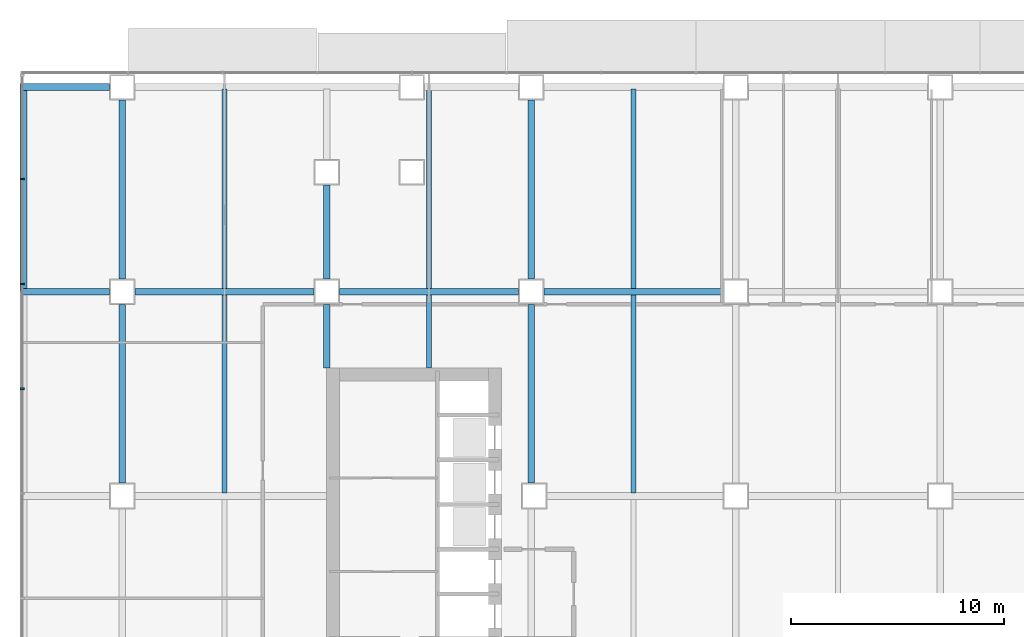
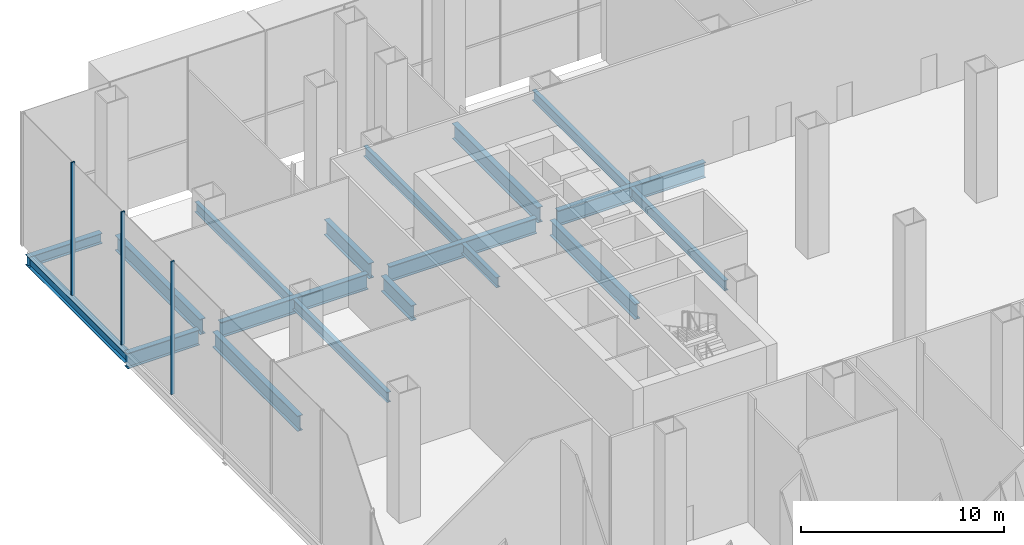
# One storey, part 7 of 24: 18 beams, 3 members, 1 element without a shape of its own.
"""IFC4 building model written with IfcOpenShell, lengths in metres."""

import ifcopenshell
import ifcopenshell.guid

model = None  # the IFC model being written
_history = None  # IfcOwnerHistory: only IFC2X3 demands one
_inside = {}  # id of a spatial element -> (the spatial element, [elements in it])
_under = {}  # id of a project, library or spatial element -> (it, [spatial elements below it])
_declared = {}  # id of a project -> (the project, [libraries it declares])
_typed = {}  # id of a type object -> (the type object, [elements of that type])
_made_of = {}  # id of a material, layer set ... -> (it, [elements and type objects made of it])


def new_model(schema):
    """Start an empty IFC model of exactly this schema.

    Asked for "IFC4X3", IfcOpenShell would pick the latest addendum, in which some entities
    have other attributes; the version numbers below select the first issue.
    IFC2X3 requires an IfcOwnerHistory on every rooted entity: one is made here for all.
    """
    global model, _history
    if schema == "IFC4X3":
        model = ifcopenshell.file(schema_version=(4, 3, 0, 0))
    else:
        model = ifcopenshell.file(schema=schema)
    _inside.clear()
    _under.clear()
    _declared.clear()
    _typed.clear()
    _made_of.clear()
    _history = None
    if model.schema == "IFC2X3":
        org = make("IfcOrganization", Name="unknown")
        user = make(
            "IfcPersonAndOrganization",
            ThePerson=make("IfcPerson", FamilyName="unknown"),
            TheOrganization=org,
        )
        app = make(
            "IfcApplication",
            ApplicationDeveloper=org,
            Version="unknown",
            ApplicationFullName="unknown",
            ApplicationIdentifier="unknown",
        )
        _history = make(
            "IfcOwnerHistory",
            OwningUser=user,
            OwningApplication=app,
            ChangeAction="ADDED",
            CreationDate=0,
        )
    return model


def make(cls, **values):
    """One entity of the class cls with the attributes given. An attribute that is None is left unset."""
    return model.create_entity(
        cls, **{name: value for name, value in values.items() if value is not None}
    )


def rooted(cls, **values):
    """An entity with a GlobalId (a new one), such as an element, a storey or a relation."""
    return make(cls, GlobalId=ifcopenshell.guid.new(), OwnerHistory=_history, **values)


def si_unit(unit_type, name, prefix=None):
    """IfcSIUnit, for example si_unit("LENGTHUNIT", "METRE", prefix="MILLI")."""
    return make("IfcSIUnit", UnitType=unit_type, Prefix=prefix, Name=name)


def assignment(units):
    """IfcUnitAssignment: the units of a project."""
    return None if units is None else make("IfcUnitAssignment", Units=units)


def point(xyz):
    """IfcCartesianPoint."""
    return None if xyz is None else make("IfcCartesianPoint", Coordinates=xyz)


def direction(xyz):
    """IfcDirection."""
    return None if xyz is None else make("IfcDirection", DirectionRatios=xyz)


def frame(location, z_axis=None, x_axis=None):
    """IfcAxis2Placement3D, a coordinate frame: its origin and axes. An axis left out is left unset."""
    return make(
        "IfcAxis2Placement3D",
        Location=point(location),
        Axis=direction(z_axis),
        RefDirection=direction(x_axis),
    )


def frame_2d(location, x_axis=None):
    """IfcAxis2Placement2D, a coordinate frame in the plane: its origin and x axis."""
    return make(
        "IfcAxis2Placement2D", Location=point(location), RefDirection=direction(x_axis)
    )


def origin():
    """The frame at (0, 0, 0) with its axes left unset."""
    return frame((0.0, 0.0, 0.0))


def origin_2d():
    """The frame at (0, 0) in the plane with its x axis left unset."""
    return frame_2d((0.0, 0.0))


def place(relative_to, where):
    """IfcLocalPlacement: puts the frame where relative to a parent placement (None: the world)."""
    return make(
        "IfcLocalPlacement", PlacementRelTo=relative_to, RelativePlacement=where
    )


def context(
    kind, dimensions, precision=None, world=None, true_north=None, identifier=None
):
    """IfcGeometricRepresentationContext, for example the 3D "Model" context."""
    return make(
        "IfcGeometricRepresentationContext",
        ContextIdentifier=identifier,
        ContextType=kind,
        CoordinateSpaceDimension=dimensions,
        Precision=precision,
        WorldCoordinateSystem=world,
        TrueNorth=true_north,
    )


def subcontext(parent, identifier, kind, view, scale=None):
    """IfcGeometricRepresentationSubContext, for example "Body" below "Model"."""
    return make(
        "IfcGeometricRepresentationSubContext",
        ContextIdentifier=identifier,
        ContextType=kind,
        ParentContext=parent,
        TargetScale=scale,
        TargetView=view,
    )


def project(units=None, contexts=None):
    """IfcProject with its units and contexts."""
    return rooted(
        "IfcProject",
        Name="project",
        RepresentationContexts=contexts,
        UnitsInContext=assignment(units),
    )


def spatial(cls, under=None, at=None, **own):
    """A site, building, storey or space (cls), placed at a placement, below another one or the project."""
    s = rooted(cls, ObjectPlacement=at, **own)
    if under is not None:
        _under.setdefault(under.id(), (under, []))[1].append(s)
    return s


def profile(cls, at=None, kind="AREA", **sizes):
    """A parametric profile (cls). Its sizes go by their IFC names, for example OverallWidth=200.0."""
    return make(cls, ProfileType=kind, Position=at, **sizes)


def rectangle(**sizes):
    """IfcRectangleProfileDef."""
    return profile("IfcRectangleProfileDef", **sizes)


def i_section(**sizes):
    """IfcIShapeProfileDef."""
    return profile("IfcIShapeProfileDef", **sizes)


def extrude(swept, where, along, depth):
    """IfcExtrudedAreaSolid: the profile swept, set in the frame where, extruded along a direction by depth."""
    return make(
        "IfcExtrudedAreaSolid",
        SweptArea=swept,
        Position=where,
        ExtrudedDirection=direction(along),
        Depth=depth,
    )


def shape(context_of_items, identifier, shape_type, items):
    """IfcShapeRepresentation: the items that make up one representation, for example the "Body"."""
    return make(
        "IfcShapeRepresentation",
        ContextOfItems=context_of_items,
        RepresentationIdentifier=identifier,
        RepresentationType=shape_type,
        Items=items,
    )


def material(Name=None, Category=None):
    """IfcMaterial."""
    return make("IfcMaterial", Name=Name, Category=Category)


def material_profile(
    of_material, cross_section, Name=None, Category=None, Priority=None
):
    """IfcMaterialProfile: a cross section and its material."""
    return make(
        "IfcMaterialProfile",
        Name=Name,
        Material=of_material,
        Profile=cross_section,
        Priority=Priority,
        Category=Category,
    )


def profile_set(profiles, Name=None, composite=None):
    """IfcMaterialProfileSet."""
    return make(
        "IfcMaterialProfileSet",
        Name=Name,
        MaterialProfiles=profiles,
        CompositeProfile=composite,
    )


def made_of(thing, what):
    """Note that an element or type object is made of a material, layer set ...; save() writes the relation."""
    if what is not None:
        _made_of.setdefault(what.id(), (what, []))[1].append(thing)
    return thing


def type_object(cls, material=None, **own):
    """A type object (cls), such as IfcWallType, which elements share."""
    return made_of(rooted(cls, **own), material)


def element(
    cls,
    number,
    at=None,
    inside=None,
    cuts=None,
    type_object=None,
    material=None,
    context=None,
    identifier="Body",
    shape_type=None,
    held_by="IfcProductDefinitionShape",
    body=None,
    shapes=None,
    **own,
):
    """One element of the class cls, such as IfcWall. Its Tag is "e" and its number.

    at: its placement. inside: the storey or other place that contains it. cuts: it is an
    opening in that element (IfcRelVoidsElement). A single representation is given by context,
    identifier, shape_type and body (its items); several are given by shapes. held_by: the class
    of the entity that holds the representations. save() writes the other relations.
    """
    e = rooted(cls, Tag="e%d" % number, ObjectPlacement=at, **own)
    if body is not None:
        shapes = [shape(context, identifier, shape_type, body)]
    if shapes is not None:
        e.Representation = make(held_by, Representations=shapes)
    if inside is not None:
        _inside.setdefault(inside.id(), (inside, []))[1].append(e)
    if cuts is not None:
        rooted(
            "IfcRelVoidsElement", RelatingBuildingElement=cuts, RelatedOpeningElement=e
        )
    if type_object is not None:
        _typed.setdefault(type_object.id(), (type_object, []))[1].append(e)
    return made_of(e, material)


def aggregate(whole, parts):
    """IfcRelAggregates: a whole, such as a stair, and the parts it consists of."""
    return rooted("IfcRelAggregates", RelatingObject=whole, RelatedObjects=parts)


def save(model, path):
    """Write the relations noted so far, then the file.

    IfcRelAggregates (storeys below a building ...), IfcRelContainedInSpatialStructure (elements
    in a storey), IfcRelDefinesByType, IfcRelAssociatesMaterial and IfcRelDeclares: one each for
    every whole, place, type object, material and project.
    """
    for whole, parts in _under.values():
        aggregate(whole, parts)
    for where, things in _inside.values():
        rooted(
            "IfcRelContainedInSpatialStructure",
            RelatedElements=things,
            RelatingStructure=where,
        )
    for kind, things in _typed.values():
        rooted("IfcRelDefinesByType", RelatedObjects=things, RelatingType=kind)
    for what, things in _made_of.values():
        rooted("IfcRelAssociatesMaterial", RelatedObjects=things, RelatingMaterial=what)
    for by, libraries in _declared.values():
        rooted("IfcRelDeclares", RelatingContext=by, RelatedDefinitions=libraries)
    model.write(path)


model = new_model("IFC4")

# Units and contexts
model_context = context("Model", 3, precision=1e-05, world=origin(), true_north=direction((0.0, 1.0)))
body_context = subcontext(model_context, "Body", "Model", "MODEL_VIEW")
ifc_project = project(units=[si_unit("LENGTHUNIT", "METRE"), si_unit("AREAUNIT", "SQUARE_METRE"), si_unit("VOLUMEUNIT", "CUBIC_METRE"), si_unit("PLANEANGLEUNIT", "RADIAN"), si_unit("MASSUNIT", "GRAM", prefix="KILO")], contexts=[model_context])

# Site, building, storey
site_placement = place(None, origin())
site = spatial("IfcSite", under=ifc_project, at=site_placement, CompositionType="ELEMENT")
building_placement = place(site_placement, origin())
building = spatial("IfcBuilding", under=site, at=building_placement, Name="Cobrizo Arcos Hotel Tower", CompositionType="ELEMENT")
storey_placement = place(building_placement, frame((0.0, 0.0, 7.5)))
storey = spatial("IfcBuildingStorey", under=building, at=storey_placement, Name="L01", CompositionType="ELEMENT", Elevation=7.5)

# Curtain wall, members
ifc_material_1 = material(Name="Aluminium 6063-T6 anodised bronze", Category="aluminium")
curtain_wall_type = type_object("IfcCurtainWallType", Name="CW-B podium glazing", PredefinedType="NOTDEFINED", material=ifc_material_1)
curtain_wall_placement = place(storey_placement, origin())
curtain_wall = element("IfcCurtainWall", 1, at=curtain_wall_placement, inside=storey, type_object=curtain_wall_type, Name="CW-B L01 W face", PredefinedType="NOTDEFINED")
ifc_material_profile_1 = material_profile(ifc_material_1, rectangle(XDim=0.199951171875, YDim=0.080078125, at=origin_2d()), Name="CW-B mullion 200x80")
ifc_profile_set_1 = profile_set([ifc_material_profile_1], Name="Aluminium 6063-T6 anodised bronze")
member_type = type_object("IfcMemberType", Name="CW-B mullion 200x80", PredefinedType="MULLION", material=ifc_profile_set_1)
member_1_placement = place(storey_placement, frame((-38.300048828125, 19.679931640625, 0.0), z_axis=(0.0, 0.0, 1.0), x_axis=(-1.0, 0.0, 0.0)))
member_1 = element("IfcMember", 2, at=member_1_placement, type_object=member_type, Name="CW-B mullion 2", PredefinedType="MULLION", context=body_context, shape_type="SweptSolid", body=[
    extrude(rectangle(XDim=0.199951171875, YDim=0.080078125, at=origin_2d()), origin(), (0.0, 0.0, 1.0), 8.0),
])
member_2_placement = place(storey_placement, frame((-38.300048828125, 14.760009765625, 0.0), z_axis=(0.0, 0.0, 1.0), x_axis=(-1.0, 0.0, 0.0)))
member_2 = element("IfcMember", 3, at=member_2_placement, type_object=member_type, Name="CW-B mullion 3", PredefinedType="MULLION", context=body_context, shape_type="SweptSolid", body=[
    extrude(rectangle(XDim=0.199951171875, YDim=0.080078125, at=origin_2d()), origin(), (0.0, 0.0, 1.0), 8.0),
])
member_3_placement = place(storey_placement, frame((-38.300048828125, 9.840087890625, 0.0), z_axis=(0.0, 0.0, 1.0), x_axis=(-1.0, 0.0, 0.0)))
member_3 = element("IfcMember", 4, at=member_3_placement, type_object=member_type, Name="CW-B mullion 4", PredefinedType="MULLION", context=body_context, shape_type="SweptSolid", body=[
    extrude(rectangle(XDim=0.199951171875, YDim=0.080078125, at=origin_2d()), origin(), (0.0, 0.0, 1.0), 8.0),
])
aggregate(curtain_wall, [member_1, member_2, member_3])

# Beams
ifc_material_2 = material(Name="Steel ASTM A992 Grade 50", Category="steel")
ifc_material_profile_2 = material_profile(ifc_material_2, i_section(OverallWidth=0.32763671875, OverallDepth=0.622314453125, WebThickness=0.015380859375, FlangeThickness=0.0244140625, at=origin_2d()), Name="W24X131")
ifc_profile_set_2 = profile_set([ifc_material_profile_2], Name="Steel ASTM A992 Grade 50")
beam_type_1 = type_object("IfcBeamType", Name="W24X131 edge beam", PredefinedType="BEAM", material=ifc_profile_set_2)
beam_1_placement = place(storey_placement, frame((-34.199951171875, 24.0, -0.56103515625), z_axis=(-1.0, 0.0, 0.0), x_axis=(0.0, -1.0, 0.0)))
element("IfcBeam", 5, at=beam_1_placement, inside=storey, type_object=beam_type_1, Name="Edge beam EB1, L01, no. 007", PredefinedType="BEAM", context=body_context, shape_type="SweptSolid", body=[
    extrude(i_section(OverallWidth=0.32763671875, OverallDepth=0.622314453125, WebThickness=0.015380859375, FlangeThickness=0.0244140625, at=origin_2d()), origin(), (0.0, 0.0, 1.0), 4.199951171875),
])
beam_2_placement = place(storey_placement, frame((-38.236083984375, 24.0, -0.56103515625), z_axis=(0.0, -1.0, 0.0), x_axis=(1.0, 0.0, 0.0)))
element("IfcBeam", 6, at=beam_2_placement, inside=storey, type_object=beam_type_1, Name="Edge beam EB1, L01, no. 008", PredefinedType="BEAM", context=body_context, shape_type="SweptSolid", body=[
    extrude(i_section(OverallWidth=0.32763671875, OverallDepth=0.622314453125, WebThickness=0.015380859375, FlangeThickness=0.0244140625, at=origin_2d()), origin(), (0.0, 0.0, 1.0), 9.60009765625),
])
ifc_material_profile_3 = material_profile(ifc_material_2, i_section(OverallWidth=0.23046875, OverallDepth=0.6171875, WebThickness=0.01318359375, FlangeThickness=0.022216796875, at=origin_2d()), Name="W24X94")
ifc_profile_set_3 = profile_set([ifc_material_profile_3], Name="Steel ASTM A992 Grade 50")
beam_type_2 = type_object("IfcBeamType", Name="W24X94 podium joist", PredefinedType="JOIST", material=ifc_profile_set_3)
beam_3_placement = place(storey_placement, frame((-28.800048828125, 4.95361328125, -0.55859375), z_axis=(0.0, 1.0, 0.0), x_axis=(-1.0, 0.0, 0.0)))
element("IfcBeam", 7, at=beam_3_placement, inside=storey, type_object=beam_type_2, Name="Podium joist PJ1, L01, no. 004", PredefinedType="JOIST", context=body_context, shape_type="SweptSolid", body=[
    extrude(i_section(OverallWidth=0.23046875, OverallDepth=0.6171875, WebThickness=0.01318359375, FlangeThickness=0.022216796875, at=origin_2d()), origin(), (0.0, 0.0, 1.0), 9.292724609375),
])
beam_4_placement = place(storey_placement, frame((-28.800048828125, 14.5537109375, -0.55859375), z_axis=(0.0, 1.0, 0.0), x_axis=(-1.0, 0.0, 0.0)))
element("IfcBeam", 8, at=beam_4_placement, inside=storey, type_object=beam_type_2, Name="Podium joist PJ1, L01, no. 005", PredefinedType="JOIST", context=body_context, shape_type="SweptSolid", body=[
    extrude(i_section(OverallWidth=0.23046875, OverallDepth=0.6171875, WebThickness=0.01318359375, FlangeThickness=0.022216796875, at=origin_2d()), origin(), (0.0, 0.0, 1.0), 9.356201171875),
])
beam_5_placement = place(storey_placement, frame((-19.199951171875, 10.81005859375, -0.55859375), z_axis=(0.0, 1.0, 0.0), x_axis=(-1.0, 0.0, 0.0)))
element("IfcBeam", 9, at=beam_5_placement, inside=storey, type_object=beam_type_2, Name="Podium joist PJ1, L01, no. 008", PredefinedType="JOIST", context=body_context, shape_type="SweptSolid", body=[
    extrude(i_section(OverallWidth=0.23046875, OverallDepth=0.6171875, WebThickness=0.01318359375, FlangeThickness=0.022216796875, at=origin_2d()), origin(), (0.0, 0.0, 1.0), 3.436279296875),
])
beam_6_placement = place(storey_placement, frame((-19.199951171875, 14.5537109375, -0.55859375), z_axis=(0.0, 1.0, 0.0), x_axis=(-1.0, 0.0, 0.0)))
element("IfcBeam", 10, at=beam_6_placement, inside=storey, type_object=beam_type_2, Name="Podium joist PJ1, L01, no. 009", PredefinedType="JOIST", context=body_context, shape_type="SweptSolid", body=[
    extrude(i_section(OverallWidth=0.23046875, OverallDepth=0.6171875, WebThickness=0.01318359375, FlangeThickness=0.022216796875, at=origin_2d()), origin(), (0.0, 0.0, 1.0), 9.356201171875),
])
beam_7_placement = place(storey_placement, frame((-9.60009765625, 4.95361328125, -0.55859375), z_axis=(0.0, 1.0, 0.0), x_axis=(-1.0, 0.0, 0.0)))
element("IfcBeam", 11, at=beam_7_placement, inside=storey, type_object=beam_type_2, Name="Podium joist PJ1, L01, no. 013", PredefinedType="JOIST", context=body_context, shape_type="SweptSolid", body=[
    extrude(i_section(OverallWidth=0.23046875, OverallDepth=0.6171875, WebThickness=0.01318359375, FlangeThickness=0.022216796875, at=origin_2d()), origin(), (0.0, 0.0, 1.0), 9.292724609375),
])
beam_8_placement = place(storey_placement, frame((-9.60009765625, 14.5537109375, -0.55859375), z_axis=(0.0, 1.0, 0.0), x_axis=(-1.0, 0.0, 0.0)))
element("IfcBeam", 12, at=beam_8_placement, inside=storey, type_object=beam_type_2, Name="Podium joist PJ1, L01, no. 014", PredefinedType="JOIST", context=body_context, shape_type="SweptSolid", body=[
    extrude(i_section(OverallWidth=0.23046875, OverallDepth=0.6171875, WebThickness=0.01318359375, FlangeThickness=0.022216796875, at=origin_2d()), origin(), (0.0, 0.0, 1.0), 9.356201171875),
])
ifc_material_profile_4 = material_profile(ifc_material_2, i_section(OverallWidth=0.307373046875, OverallDepth=0.927001953125, WebThickness=0.01953125, FlangeThickness=0.031982421875, at=origin_2d()), Name="W36X194")
ifc_profile_set_4 = profile_set([ifc_material_profile_4], Name="Steel ASTM A992 Grade 50")
beam_type_3 = type_object("IfcBeamType", Name="W36X194 podium girder", PredefinedType="BEAM", material=ifc_profile_set_4)
beam_9_placement = place(storey_placement, frame((-38.31005859375, 14.39990234375, -0.71337890625), z_axis=(1.0, 0.0, 0.0), x_axis=(0.0, 1.0, 0.0)))
element("IfcBeam", 13, at=beam_9_placement, inside=storey, type_object=beam_type_3, Name="Podium girder PG1, L01, no. 026", PredefinedType="BEAM", context=body_context, shape_type="SweptSolid", body=[
    extrude(i_section(OverallWidth=0.307373046875, OverallDepth=0.927001953125, WebThickness=0.01953125, FlangeThickness=0.031982421875, at=origin_2d()), origin(), (0.0, 0.0, 1.0), 4.110107421875),
])
for number, where, z_axis, x_axis, name in (
    (14, (-33.0, 14.39990234375, -0.71337890625), (1.0, 0.0, 0.0), (0.0, 1.0, 0.0), "Podium girder PG1, L01, no. 027"),
    (15, (-23.39990234375, 14.39990234375, -0.71337890625), (1.0, 0.0, 0.0), (0.0, 1.0, 0.0), "Podium girder PG1, L01, no. 028"),
):
    element("IfcBeam", number, at=place(storey_placement, frame(where, z_axis=z_axis, x_axis=x_axis)), inside=storey, type_object=beam_type_3, Name=name, PredefinedType="BEAM", context=body_context, shape_type="SweptSolid", body=[
        extrude(i_section(OverallWidth=0.307373046875, OverallDepth=0.927001953125, WebThickness=0.01953125, FlangeThickness=0.031982421875, at=origin_2d()), origin(), (0.0, 0.0, 1.0), 8.39990234375),
    ])
for number, where, z_axis, x_axis, name in (
    (16, (-13.800048828125, 14.39990234375, -0.71337890625), (1.0, 0.0, 0.0), (0.0, 1.0, 0.0), "Podium girder PG1, L01, no. 029"),
    (17, (-33.60009765625, 5.39990234375, -0.71337890625), (0.0, 1.0, 0.0), (-1.0, 0.0, 0.0), "Podium girder PG1, L01, no. 038"),
):
    element("IfcBeam", number, at=place(storey_placement, frame(where, z_axis=z_axis, x_axis=x_axis)), inside=storey, type_object=beam_type_3, Name=name, PredefinedType="BEAM", context=body_context, shape_type="SweptSolid", body=[
        extrude(i_section(OverallWidth=0.307373046875, OverallDepth=0.927001953125, WebThickness=0.01953125, FlangeThickness=0.031982421875, at=origin_2d()), origin(), (0.0, 0.0, 1.0), 8.400146484375),
    ])
beam_10_placement = place(storey_placement, frame((-33.60009765625, 15.0, -0.71337890625), z_axis=(0.0, 1.0, 0.0), x_axis=(-1.0, 0.0, 0.0)))
element("IfcBeam", 18, at=beam_10_placement, inside=storey, type_object=beam_type_3, Name="Podium girder PG1, L01, no. 039", PredefinedType="BEAM", context=body_context, shape_type="SweptSolid", body=[
    extrude(i_section(OverallWidth=0.307373046875, OverallDepth=0.927001953125, WebThickness=0.01953125, FlangeThickness=0.031982421875, at=origin_2d()), origin(), (0.0, 0.0, 1.0), 8.39990234375),
])
beam_11_placement = place(storey_placement, frame((-24.0, 10.81005859375, -0.71337890625), z_axis=(0.0, 1.0, 0.0), x_axis=(-1.0, 0.0, 0.0)))
element("IfcBeam", 19, at=beam_11_placement, inside=storey, type_object=beam_type_3, Name="Podium girder PG1, L01, no. 043", PredefinedType="BEAM", context=body_context, shape_type="SweptSolid", body=[
    extrude(i_section(OverallWidth=0.307373046875, OverallDepth=0.927001953125, WebThickness=0.01953125, FlangeThickness=0.031982421875, at=origin_2d()), origin(), (0.0, 0.0, 1.0), 2.989990234375),
])
beam_12_placement = place(storey_placement, frame((-24.0, 15.0, -0.71337890625), z_axis=(0.0, 1.0, 0.0), x_axis=(-1.0, 0.0, 0.0)))
element("IfcBeam", 20, at=beam_12_placement, inside=storey, type_object=beam_type_3, Name="Podium girder PG1, L01, no. 044", PredefinedType="BEAM", context=body_context, shape_type="SweptSolid", body=[
    extrude(i_section(OverallWidth=0.307373046875, OverallDepth=0.927001953125, WebThickness=0.01953125, FlangeThickness=0.031982421875, at=origin_2d()), origin(), (0.0, 0.0, 1.0), 4.39990234375),
])
beam_13_placement = place(storey_placement, frame((-14.39990234375, 5.39990234375, -0.71337890625), z_axis=(0.0, 1.0, 0.0), x_axis=(-1.0, 0.0, 0.0)))
element("IfcBeam", 21, at=beam_13_placement, inside=storey, type_object=beam_type_3, Name="Podium girder PG1, L01, no. 049", PredefinedType="BEAM", context=body_context, shape_type="SweptSolid", body=[
    extrude(i_section(OverallWidth=0.307373046875, OverallDepth=0.927001953125, WebThickness=0.01953125, FlangeThickness=0.031982421875, at=origin_2d()), origin(), (0.0, 0.0, 1.0), 8.400146484375),
])
beam_14_placement = place(storey_placement, frame((-14.39990234375, 15.0, -0.71337890625), z_axis=(0.0, 1.0, 0.0), x_axis=(-1.0, 0.0, 0.0)))
element("IfcBeam", 22, at=beam_14_placement, inside=storey, type_object=beam_type_3, Name="Podium girder PG1, L01, no. 050", PredefinedType="BEAM", context=body_context, shape_type="SweptSolid", body=[
    extrude(i_section(OverallWidth=0.307373046875, OverallDepth=0.927001953125, WebThickness=0.01953125, FlangeThickness=0.031982421875, at=origin_2d()), origin(), (0.0, 0.0, 1.0), 8.39990234375),
])

save(model, "model.ifc")
